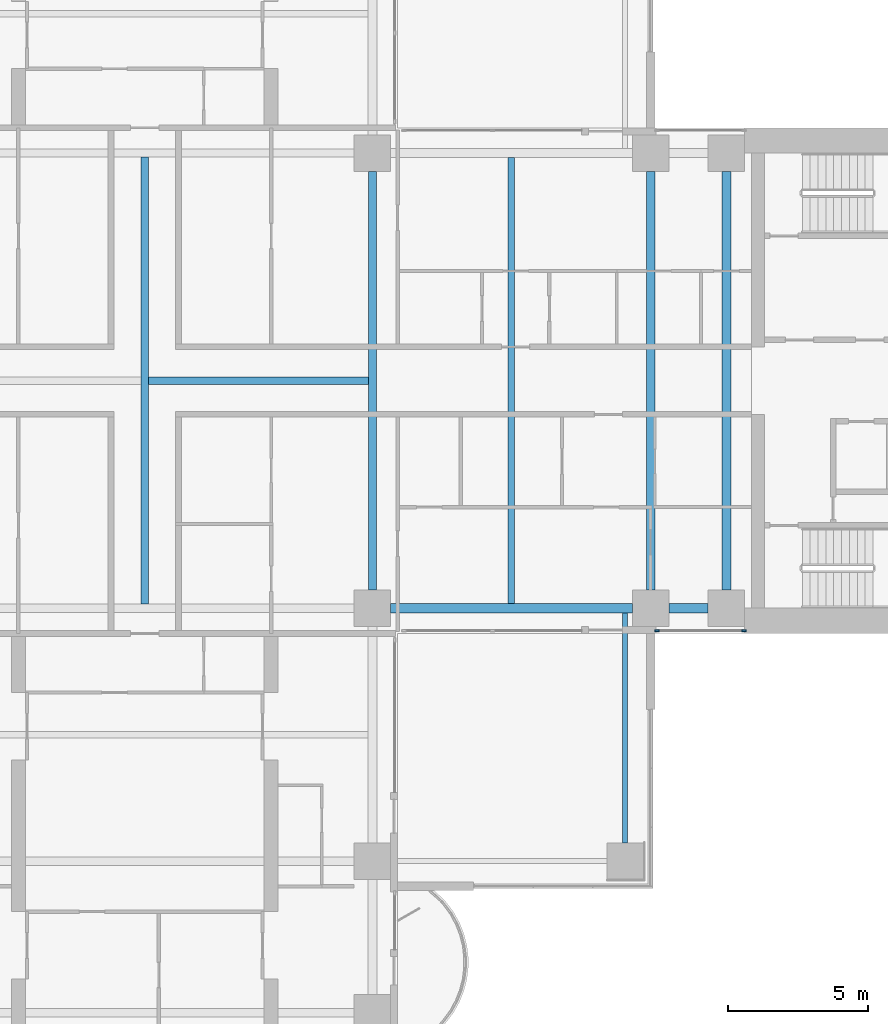
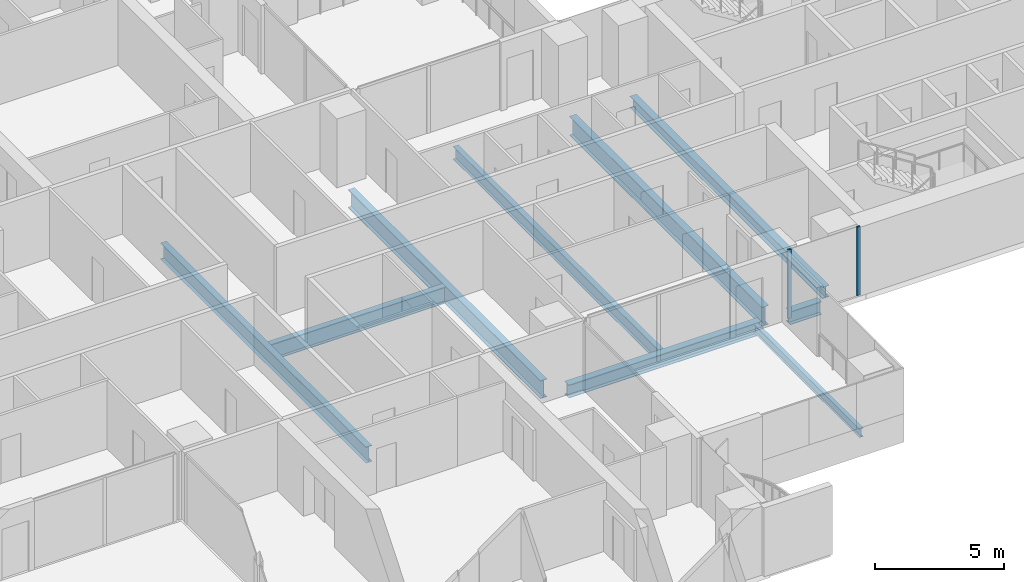
# One storey, part 4 of 20: 9 beams, 2 members, 1 element without a shape of its own.
"""IFC4 building model written with IfcOpenShell, lengths in metres."""

from ifc_helpers import new_model, si_unit, direction, frame, origin, origin_2d, place, context, subcontext, project, spatial, rectangle, i_section, extrude, material, material_profile, profile_set, type_object, element, aggregate, save


model = new_model("IFC4")

# Units and contexts
model_context = context("Model", 3, precision=1e-05, world=origin(), true_north=direction((0.0, 1.0)))
body_context = subcontext(model_context, "Body", "Model", "MODEL_VIEW")
ifc_project = project(units=[si_unit("LENGTHUNIT", "METRE"), si_unit("AREAUNIT", "SQUARE_METRE"), si_unit("VOLUMEUNIT", "CUBIC_METRE"), si_unit("PLANEANGLEUNIT", "RADIAN"), si_unit("MASSUNIT", "GRAM", prefix="KILO")], contexts=[model_context])

# Site, building, storey
site_placement = place(None, origin())
site = spatial("IfcSite", under=ifc_project, at=site_placement, CompositionType="ELEMENT")
building_placement = place(site_placement, origin())
building = spatial("IfcBuilding", under=site, at=building_placement, Name="Perihelion Cross Residences", CompositionType="ELEMENT")
storey_placement = place(building_placement, frame((0.0, 0.0, 82.0)))
storey = spatial("IfcBuildingStorey", under=building, at=storey_placement, Name="L18", CompositionType="ELEMENT", Elevation=82.0)

# Curtain wall, members
ifc_material_1 = material(Name="Bronze anodised aluminium, tinted glazing", Category="aluminium")
curtain_wall_type = type_object("IfcCurtainWallType", Name="CW1", PredefinedType="NOTDEFINED", material=ifc_material_1)
curtain_wall_placement = place(storey_placement, origin())
curtain_wall = element("IfcCurtainWall", 1, at=curtain_wall_placement, inside=storey, type_object=curtain_wall_type, Name="Curtain wall CW1 L18 east side south bay 2", PredefinedType="NOTDEFINED")
ifc_material_2 = material(Name="Bronze anodised aluminium", Category="aluminium")
ifc_material_profile_1 = material_profile(ifc_material_2, rectangle(XDim=0.06005859375, YDim=0.159912109375, at=origin_2d()), Name="CW1 mullion")
ifc_profile_set_1 = profile_set([ifc_material_profile_1], Name="Bronze anodised aluminium")
member_type = type_object("IfcMemberType", Name="CW1 mullion", PredefinedType="MULLION", material=ifc_profile_set_1)
member_1_placement = place(storey_placement, frame((18.22998046875, -8.89990234375, 0.0), z_axis=(0.0, 0.0, 1.0), x_axis=(0.0, 1.0, 0.0)))
member_1 = element("IfcMember", 2, at=member_1_placement, type_object=member_type, Name="CW1 mullion 1", PredefinedType="MULLION", context=body_context, shape_type="SweptSolid", body=[
    extrude(rectangle(XDim=0.06005859375, YDim=0.159912109375, at=origin_2d()), origin(), (0.0, 0.0, 1.0), 3.25),
])
member_2_placement = place(storey_placement, frame((21.320068359375, -8.89990234375, 0.0), z_axis=(0.0, 0.0, 1.0), x_axis=(0.0, 1.0, 0.0)))
member_2 = element("IfcMember", 3, at=member_2_placement, type_object=member_type, Name="CW1 mullion 2", PredefinedType="MULLION", context=body_context, shape_type="SweptSolid", body=[
    extrude(rectangle(XDim=0.06005859375, YDim=0.159912109375, at=origin_2d()), origin(), (0.0, 0.0, 1.0), 3.25),
])
aggregate(curtain_wall, [member_1, member_2])

# Beams
ifc_material_3 = material(Name="Steel S355", Category="steel")
ifc_material_profile_2 = material_profile(ifc_material_3, i_section(OverallWidth=0.177978515625, OverallDepth=0.406005859375, WebThickness=0.0078125, FlangeThickness=0.0126953125, at=origin_2d()), Name="W410x60")
ifc_profile_set_2 = profile_set([ifc_material_profile_2], Name="Steel S355")
beam_type_1 = type_object("IfcBeamType", Name="Core edge beam W410x60", PredefinedType="BEAM", material=ifc_profile_set_2)
beam_1_placement = place(storey_placement, frame((17.10009765625, -8.262451171875, -0.452880859375), z_axis=(0.0, -1.0, 0.0), x_axis=(1.0, 0.0, 0.0)))
element("IfcBeam", 4, at=beam_1_placement, inside=storey, type_object=beam_type_1, Name="Core edge beam TB2 L18 corner no. 5", PredefinedType="BEAM", context=body_context, shape_type="SweptSolid", body=[
    extrude(i_section(OverallWidth=0.177978515625, OverallDepth=0.406005859375, WebThickness=0.0078125, FlangeThickness=0.0126953125, at=origin_2d()), origin(), (0.0, 0.0, 1.0), 8.1875),
])
ifc_material_4 = material(Name="Steel S355", Category="steel")
ifc_material_profile_3 = material_profile(ifc_material_4, i_section(OverallWidth=0.31201171875, OverallDepth=0.5439453125, WebThickness=0.0126953125, FlangeThickness=0.020263671875, at=origin_2d()), Name="W530x150")
ifc_profile_set_3 = profile_set([ifc_material_profile_3], Name="Steel S355")
beam_type_2 = type_object("IfcBeamType", Name="Core edge beam W530x150", PredefinedType="BEAM", material=ifc_profile_set_3)
beam_2_placement = place(storey_placement, frame((20.699951171875, -7.449951171875, -0.52197265625), z_axis=(0.0, 1.0, 0.0), x_axis=(-1.0, 0.0, 0.0)))
element("IfcBeam", 5, at=beam_2_placement, inside=storey, type_object=beam_type_2, Name="Core edge beam TB4 L18 no. 2", PredefinedType="BEAM", context=body_context, shape_type="SweptSolid", body=[
    extrude(i_section(OverallWidth=0.31201171875, OverallDepth=0.5439453125, WebThickness=0.0126953125, FlangeThickness=0.020263671875, at=origin_2d()), origin(), (0.0, 0.0, 1.0), 14.89990234375),
])
ifc_material_5 = material(Name="Steel S355", Category="steel")
ifc_material_profile_4 = material_profile(ifc_material_5, i_section(OverallWidth=0.324951171875, OverallDepth=0.616943359375, WebThickness=0.013916015625, FlangeThickness=0.021484375, at=origin_2d()), Name="W610x174")
ifc_profile_set_4 = profile_set([ifc_material_profile_4], Name="Steel S355")
beam_type_3 = type_object("IfcBeamType", Name="Edge beam W610x174", PredefinedType="SPANDREL", material=ifc_profile_set_4)
beam_3_placement = place(storey_placement, frame((8.75, -8.10009765625, -0.55859375), z_axis=(1.0, 0.0, 0.0), x_axis=(0.0, 1.0, 0.0)))
element("IfcBeam", 6, at=beam_3_placement, inside=storey, type_object=beam_type_3, Name="Edge beam SB2 L18 no. 18", PredefinedType="SPANDREL", context=body_context, shape_type="SweptSolid", body=[
    extrude(i_section(OverallWidth=0.324951171875, OverallDepth=0.616943359375, WebThickness=0.013916015625, FlangeThickness=0.021484375, at=origin_2d()), origin(), (0.0, 0.0, 1.0), 8.60009765625),
])
beam_4_placement = place(storey_placement, frame((18.64990234375, -8.10009765625, -0.55859375), z_axis=(1.0, 0.0, 0.0), x_axis=(0.0, 1.0, 0.0)))
element("IfcBeam", 7, at=beam_4_placement, inside=storey, type_object=beam_type_3, Name="Edge beam SB2 L18 no. 12", PredefinedType="SPANDREL", context=body_context, shape_type="SweptSolid", body=[
    extrude(i_section(OverallWidth=0.324951171875, OverallDepth=0.616943359375, WebThickness=0.013916015625, FlangeThickness=0.021484375, at=origin_2d()), origin(), (0.0, 0.0, 1.0), 1.400146484375),
])
ifc_material_6 = material(Name="Steel S355", Category="steel")
ifc_material_profile_5 = material_profile(ifc_material_6, i_section(OverallWidth=0.304931640625, OverallDepth=0.904052734375, WebThickness=0.01513671875, FlangeThickness=0.02001953125, at=origin_2d()), Name="W920x201")
ifc_profile_set_5 = profile_set([ifc_material_profile_5], Name="Steel S355")
beam_type_4 = type_object("IfcBeamType", Name="Floor girder W920x201", PredefinedType="BEAM", material=ifc_profile_set_5)
beam_5_placement = place(storey_placement, frame((18.0, -7.449951171875, -0.701904296875), z_axis=(0.0, 1.0, 0.0), x_axis=(-1.0, 0.0, 0.0)))
element("IfcBeam", 8, at=beam_5_placement, inside=storey, type_object=beam_type_4, Name="Girder G2 L18 no. 2", PredefinedType="BEAM", context=body_context, shape_type="SweptSolid", body=[
    extrude(i_section(OverallWidth=0.304931640625, OverallDepth=0.904052734375, WebThickness=0.01513671875, FlangeThickness=0.02001953125, at=origin_2d()), origin(), (0.0, 0.0, 1.0), 14.89990234375),
])
ifc_material_7 = material(Name="Steel S355", Category="steel")
ifc_material_profile_6 = material_profile(ifc_material_7, i_section(OverallWidth=0.22900390625, OverallDepth=0.612060546875, WebThickness=0.011962890625, FlangeThickness=0.01953125, at=origin_2d()), Name="W610x125")
ifc_profile_set_6 = profile_set([ifc_material_profile_6], Name="Steel S355")
beam_type_5 = type_object("IfcBeamType", Name="Floor joist W610x125", PredefinedType="JOIST", material=ifc_profile_set_6)
beam_6_placement = place(storey_placement, frame((13.050048828125, -7.9375, -0.555908203125), z_axis=(0.0, 1.0, 0.0), x_axis=(-1.0, 0.0, 0.0)))
element("IfcBeam", 9, at=beam_6_placement, inside=storey, type_object=beam_type_5, Name="Joist J3 L18 no. 2", PredefinedType="JOIST", context=body_context, shape_type="SweptSolid", body=[
    extrude(i_section(OverallWidth=0.22900390625, OverallDepth=0.612060546875, WebThickness=0.011962890625, FlangeThickness=0.01953125, at=origin_2d()), origin(), (0.0, 0.0, 1.0), 15.875),
])
ifc_material_8 = material(Name="Steel S355", Category="steel")
ifc_material_profile_7 = material_profile(ifc_material_8, i_section(OverallWidth=0.26708984375, OverallDepth=0.77001953125, WebThickness=0.015625, FlangeThickness=0.025390625, at=origin_2d()), Name="W760x196")
ifc_profile_set_7 = profile_set([ifc_material_profile_7], Name="Steel S355")
beam_type_6 = type_object("IfcBeamType", Name="Hub cross beam W760x196", PredefinedType="BEAM", material=ifc_profile_set_7)
beam_7_placement = place(storey_placement, frame((0.0, -7.9541015625, -0.635009765625), z_axis=(0.0, 1.0, 0.0), x_axis=(-1.0, 0.0, 0.0)))
element("IfcBeam", 10, at=beam_7_placement, inside=storey, type_object=beam_type_6, Name="Hub cross beam XB2 L18 no. 1", PredefinedType="BEAM", context=body_context, shape_type="SweptSolid", body=[
    extrude(i_section(OverallWidth=0.26708984375, OverallDepth=0.77001953125, WebThickness=0.015625, FlangeThickness=0.025390625, at=origin_2d()), origin(), (0.0, 0.0, 1.0), 15.908203125),
])
beam_8_placement = place(storey_placement, frame((0.133544921875, 0.0, -0.635009765625), z_axis=(1.0, 0.0, 0.0), x_axis=(0.0, 1.0, 0.0)))
element("IfcBeam", 11, at=beam_8_placement, inside=storey, type_object=beam_type_6, Name="Hub cross beam XB2 L18 2 no. 1", PredefinedType="BEAM", context=body_context, shape_type="SweptSolid", body=[
    extrude(i_section(OverallWidth=0.26708984375, OverallDepth=0.77001953125, WebThickness=0.015625, FlangeThickness=0.025390625, at=origin_2d()), origin(), (0.0, 0.0, 1.0), 7.820556640625),
])
ifc_material_9 = material(Name="Steel S355", Category="steel")
ifc_material_profile_8 = material_profile(ifc_material_9, i_section(OverallWidth=0.2919921875, OverallDepth=0.85888671875, WebThickness=0.01708984375, FlangeThickness=0.031005859375, at=origin_2d()), Name="W840x251")
ifc_profile_set_8 = profile_set([ifc_material_profile_8], Name="Steel S355")
beam_type_7 = type_object("IfcBeamType", Name="Hub ring girder W840x251", PredefinedType="BEAM", material=ifc_profile_set_8)
beam_9_placement = place(storey_placement, frame((8.10009765625, -7.449951171875, -0.679443359375), z_axis=(0.0, 1.0, 0.0), x_axis=(-1.0, 0.0, 0.0)))
element("IfcBeam", 12, at=beam_9_placement, inside=storey, type_object=beam_type_7, Name="Hub ring girder RG2 L18 no. 3", PredefinedType="BEAM", context=body_context, shape_type="SweptSolid", body=[
    extrude(i_section(OverallWidth=0.2919921875, OverallDepth=0.85888671875, WebThickness=0.01708984375, FlangeThickness=0.031005859375, at=origin_2d()), origin(), (0.0, 0.0, 1.0), 14.89990234375),
])

save(model, "model.ifc")
